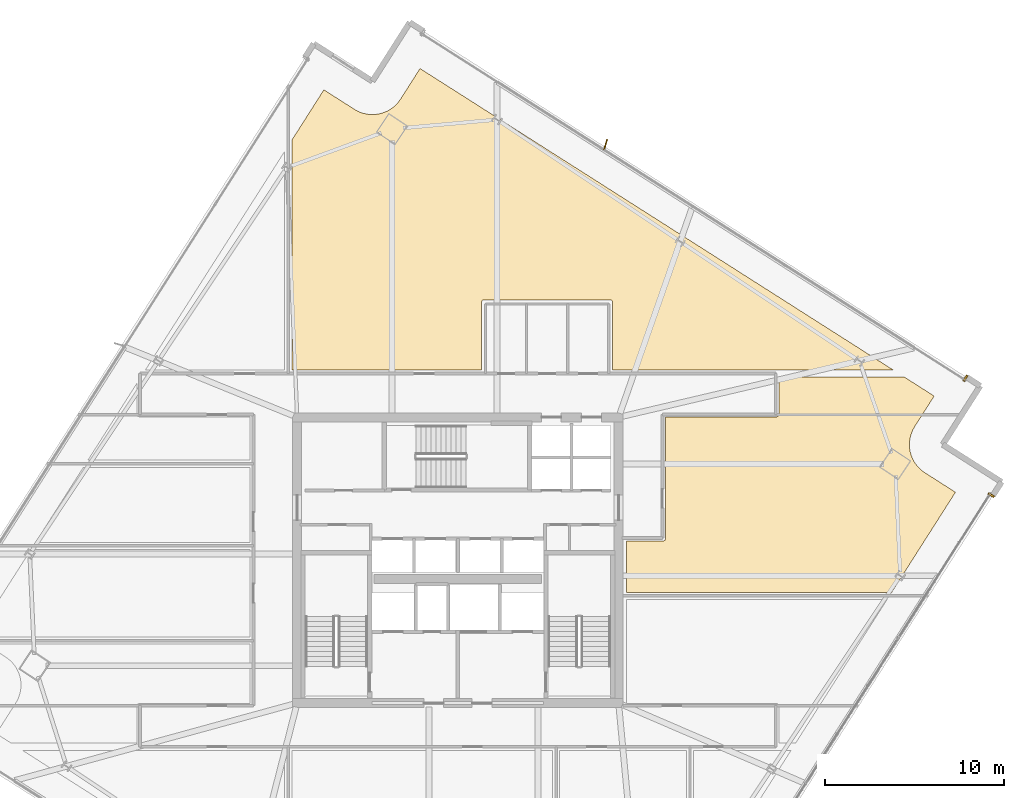
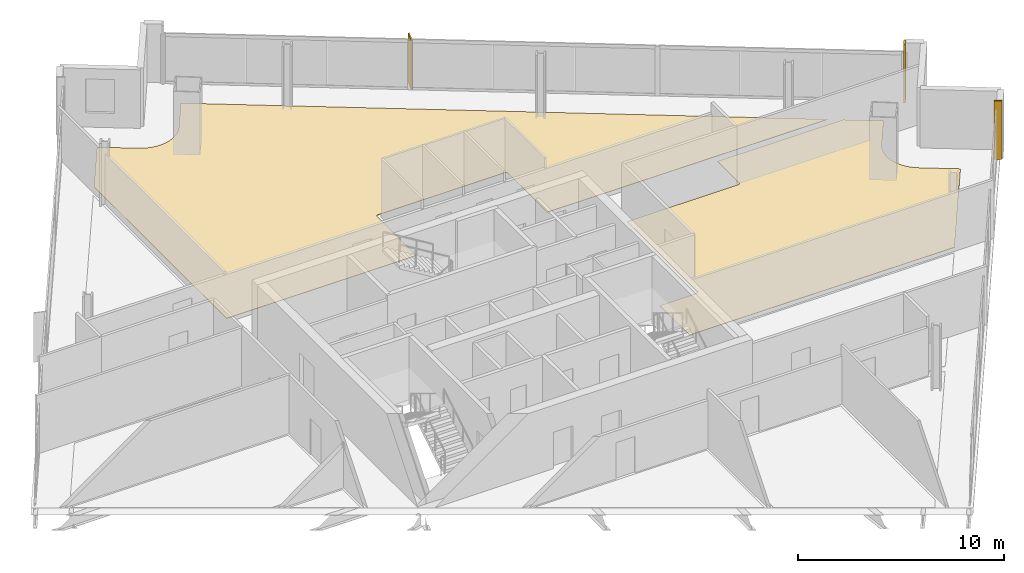
# One storey, part 30 of 30: 4 coverings, 1 shading device.
"""IFC4 building model written with IfcOpenShell, lengths in metres."""

from ifc_helpers import new_model, si_unit, direction, frame, origin, origin_2d, place, context, subcontext, project, spatial, polyline, rectangle, outline, extrude, source, transform, mapped, material, layer, layer_set, type_object, element, save


model = new_model("IFC4")

# Units and contexts
model_context = context("Model", 3, precision=1e-05, world=origin(), true_north=direction((0.0, 1.0)))
body_context = subcontext(model_context, "Body", "Model", "MODEL_VIEW")
ifc_project = project(units=[si_unit("LENGTHUNIT", "METRE"), si_unit("AREAUNIT", "SQUARE_METRE"), si_unit("VOLUMEUNIT", "CUBIC_METRE"), si_unit("PLANEANGLEUNIT", "RADIAN"), si_unit("MASSUNIT", "GRAM", prefix="KILO")], contexts=[model_context])

# Site, building, storey
site_placement = place(None, origin())
site = spatial("IfcSite", under=ifc_project, at=site_placement, CompositionType="ELEMENT")
building_placement = place(site_placement, origin())
building = spatial("IfcBuilding", under=site, at=building_placement, Name="Haldenkirk Collegiate Tower", CompositionType="ELEMENT")
storey_placement = place(building_placement, frame((0.0, 0.0, 220.949951171875)))
storey = spatial("IfcBuildingStorey", under=building, at=storey_placement, Name="L55", CompositionType="ELEMENT", Elevation=220.949951171875)

# Coverings
ifc_material_1 = material(Name="Polished collegiate terrazzo", Category="concrete")
ifc_layer_1 = layer(ifc_material_1, 0.02490234375)
ifc_layer_set_1 = layer_set([ifc_layer_1], Name="Polished collegiate terrazzo")
covering_type_1 = type_object("IfcCoveringType", Name="COV-FLOOR-TERRAZZO", PredefinedType="FLOORING", material=ifc_layer_set_1)
covering_1_placement = place(storey_placement, origin())
element("IfcCovering", 1, at=covering_1_placement, inside=storey, type_object=covering_type_1, Name="L55 academic room finish 06", PredefinedType="FLOORING", context=body_context, shape_type="SweptSolid", body=[
    extrude(outline(polyline([(44.669921875, 40.449951171875), (44.66943359375, 40.4619140625), (44.667724609375, 40.473388671875), (44.664794921875, 40.48486328125), (44.660888671875, 40.495849609375), (44.65576171875, 40.506591796875), (44.64990234375, 40.5166015625), (44.642822265625, 40.526123046875), (44.635009765625, 40.534912109375), (44.626220703125, 40.542724609375), (44.61669921875, 40.5498046875), (44.606689453125, 40.555908203125), (44.595947265625, 40.560791015625), (44.584716796875, 40.564697265625), (44.573486328125, 40.567626953125), (44.561767578125, 40.5693359375), (44.550048828125, 40.570068359375), (37.449951171875, 40.570068359375), (37.438232421875, 40.5693359375), (37.426513671875, 40.567626953125), (37.415283203125, 40.564697265625), (37.404052734375, 40.560791015625), (37.393310546875, 40.555908203125), (37.38330078125, 40.5498046875), (37.373779296875, 40.542724609375), (37.364990234375, 40.534912109375), (37.357177734375, 40.526123046875), (37.35009765625, 40.5166015625), (37.34423828125, 40.506591796875), (37.339111328125, 40.495849609375), (37.335205078125, 40.48486328125), (37.332275390625, 40.473388671875), (37.33056640625, 40.4619140625), (37.330078125, 40.449951171875), (37.330078125, 36.64990234375), (26.699951171875, 36.64990234375), (26.699951171875, 49.518310546875), (28.49560546875, 52.336669921875), (30.20751953125, 51.24609375), (30.21240234375, 51.2431640625), (30.36181640625, 51.157958984375), (30.372314453125, 51.152587890625), (30.529052734375, 51.08251953125), (30.5400390625, 51.078369140625), (30.703125, 51.024169921875), (30.71435546875, 51.02099609375), (30.8818359375, 50.98291015625), (30.893310546875, 50.980712890625), (31.063720703125, 50.959228515625), (31.075439453125, 50.958251953125), (31.247314453125, 50.95361328125), (31.259033203125, 50.953857421875), (31.430419921875, 50.966064453125), (31.44189453125, 50.967529296875), (31.611328125, 50.996337890625), (31.622802734375, 50.9990234375), (31.788330078125, 51.044189453125), (31.799560546875, 51.0478515625), (31.9599609375, 51.109375), (31.970703125, 51.114013671875), (32.12451171875, 51.19091796875), (32.134521484375, 51.196533203125), (32.280029296875, 51.2880859375), (32.289794921875, 51.294921875), (32.42529296875, 51.400146484375), (32.43408203125, 51.40771484375), (32.558837890625, 51.52587890625), (32.56689453125, 51.534423828125), (32.6796875, 51.664306640625), (32.68701171875, 51.673583984375), (32.7861328125, 51.813720703125), (32.789306640625, 51.818359375), (33.880126953125, 53.530517578125), (60.377197265625, 36.64990234375), (44.669921875, 36.64990234375), (44.669921875, 40.449951171875)])), origin(), (0.0, 0.0, 1.0), 0.025146484375),
])
covering_2_placement = place(storey_placement, origin())
element("IfcCovering", 2, at=covering_2_placement, inside=storey, type_object=covering_type_1, Name="L55 academic room finish 12", PredefinedType="FLOORING", context=body_context, shape_type="SweptSolid", body=[
    extrude(outline(polyline([(47.5, 27.080078125), (47.51171875, 27.08056640625), (47.5234375, 27.082275390625), (47.534912109375, 27.085205078125), (47.5458984375, 27.089111328125), (47.556640625, 27.09423828125), (47.566650390625, 27.10009765625), (47.576171875, 27.107177734375), (47.5849609375, 27.114990234375), (47.5927734375, 27.123779296875), (47.599853515625, 27.13330078125), (47.605712890625, 27.143310546875), (47.61083984375, 27.154052734375), (47.61474609375, 27.165283203125), (47.61767578125, 27.176513671875), (47.619384765625, 27.188232421875), (47.6201171875, 27.199951171875), (47.6201171875, 34.030029296875), (53.85009765625, 34.030029296875), (53.86181640625, 34.030517578125), (53.873291015625, 34.0322265625), (53.884765625, 34.03515625), (53.89599609375, 34.0390625), (53.906494140625, 34.044189453125), (53.916748046875, 34.05029296875), (53.926025390625, 34.05712890625), (53.934814453125, 34.065185546875), (53.94287109375, 34.073974609375), (53.94970703125, 34.083251953125), (53.955810546875, 34.093505859375), (53.9609375, 34.10400390625), (53.96484375, 34.115234375), (53.9677734375, 34.126708984375), (53.969482421875, 34.13818359375), (53.969970703125, 34.14990234375), (53.969970703125, 36.25), (61.005126953125, 36.25), (62.669189453125, 35.189697265625), (61.57861328125, 33.477783203125), (61.57568359375, 33.472900390625), (61.490478515625, 33.323486328125), (61.485107421875, 33.31298828125), (61.4150390625, 33.15625), (61.410888671875, 33.145263671875), (61.356689453125, 32.982421875), (61.353515625, 32.970947265625), (61.315185546875, 32.803466796875), (61.313232421875, 32.7919921875), (61.291748046875, 32.62158203125), (61.290771484375, 32.60986328125), (61.2861328125, 32.43798828125), (61.286376953125, 32.42626953125), (61.298583984375, 32.2548828125), (61.300048828125, 32.243408203125), (61.328857421875, 32.073974609375), (61.33154296875, 32.0625), (61.376708984375, 31.89697265625), (61.38037109375, 31.8857421875), (61.44189453125, 31.725341796875), (61.446533203125, 31.714599609375), (61.5234375, 31.560791015625), (61.529052734375, 31.55078125), (61.62060546875, 31.4052734375), (61.62744140625, 31.3955078125), (61.732666015625, 31.260009765625), (61.740478515625, 31.251220703125), (61.8583984375, 31.12646484375), (61.866943359375, 31.118408203125), (61.99658203125, 31.005615234375), (62.006103515625, 30.998291015625), (62.14599609375, 30.899169921875), (62.15087890625, 30.89599609375), (63.863037109375, 29.80517578125), (60.292236328125, 24.199951171875), (45.449951171875, 24.199951171875), (45.449951171875, 27.080078125), (47.5, 27.080078125)])), origin(), (0.0, 0.0, 1.0), 0.025146484375),
])
ifc_material_2 = material(Name="Anodised architectural bronze aluminium", Category="aluminium")
ifc_layer_2 = layer(ifc_material_2, 0.06005859375)
ifc_layer_set_2 = layer_set([ifc_layer_2], Name="Anodised architectural bronze aluminium")
covering_type_2 = type_object("IfcCoveringType", Name="COV-CLAD-BRONZE-60", PredefinedType="CLADDING", material=ifc_layer_set_2)
shared_shape_1 = source(origin(), body_context, "Body", "SweptSolid", [
    extrude(rectangle(XDim=0.10009765625, YDim=0.3798828125, at=origin_2d()), origin(), (0.0, 0.0, 1.0), 3.469970703125),
])
for number, where, z_axis, x_axis, name in (
    (3, (65.869384765625, 29.6416015625, 0.0), (0.0, 0.0, 1.0), (-0.537299608347, -0.843391445813, 0.0), "L55 recessed curtain-wall bronze jamb closure SJL"),
    (4, (64.41845703125, 36.18603515625, 0.0), (0.0, 0.0, 1.0), (0.843391445813, -0.537299608347, 0.0), "L55 recessed curtain-wall bronze jamb closure EJR"),
):
    element("IfcCovering", number, at=place(storey_placement, frame(where, z_axis=z_axis, x_axis=x_axis)), inside=storey, type_object=covering_type_2, Name=name, PredefinedType="CLADDING", context=body_context, shape_type="MappedRepresentation", body=[
        mapped(shared_shape_1, transform((0.0, 0.0, 0.0), x_axis=(1.0, 0.0, 0.0), y_axis=(0.0, 1.0, 0.0), z_axis=(0.0, 0.0, 1.0), scale=1.0)),
    ])

# Shading device
ifc_layer_3 = layer(ifc_material_2, 0.06494140625)
ifc_layer_set_3 = layer_set([ifc_layer_3], Name="Anodised architectural bronze aluminium")
shading_device_type = type_object("IfcShadingDeviceType", Name="SHD-FIN-BRONZE-620", PredefinedType="USERDEFINED", material=ifc_layer_set_3)
shared_shape_2 = source(origin(), body_context, "Body", "SweptSolid", [
    extrude(rectangle(XDim=0.6201171875, YDim=0.06494140625, at=origin_2d()), origin(), (0.0, 0.0, 1.0), 2.927978515625),
])
shading_device_placement = place(storey_placement, frame((44.2705078125, 49.264892578125, 0.0), z_axis=(0.0, 0.0, 1.0), x_axis=(0.284015344704, 0.958819734868, 0.0)))
element("IfcShadingDevice", 5, at=shading_device_placement, inside=storey, type_object=shading_device_type, Name="L55 folded bronze solar fin 1", ObjectType="FIN", PredefinedType="USERDEFINED", context=body_context, shape_type="MappedRepresentation", body=[
    mapped(shared_shape_2, transform((0.0, 0.0, 0.0), x_axis=(1.0, 0.0, 0.0), y_axis=(0.0, 1.0, 0.0), z_axis=(0.0, 0.0, 1.0), scale=1.0)),
])

save(model, "model.ifc")
